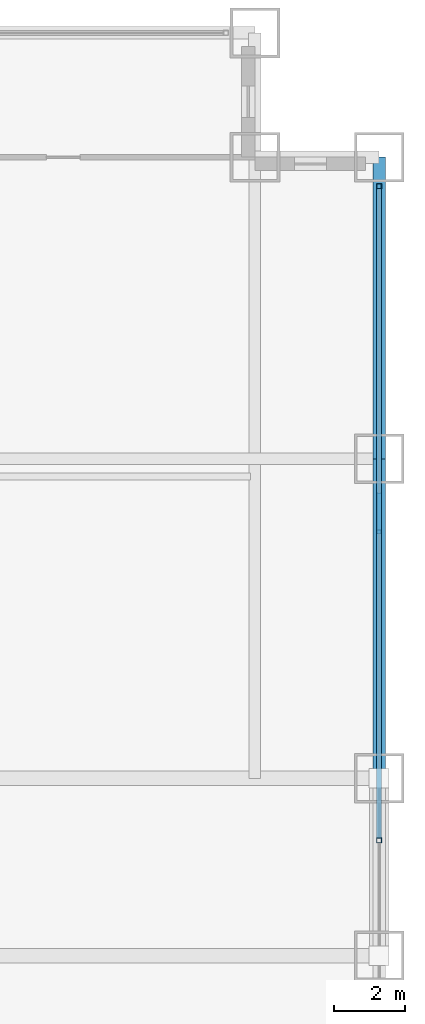
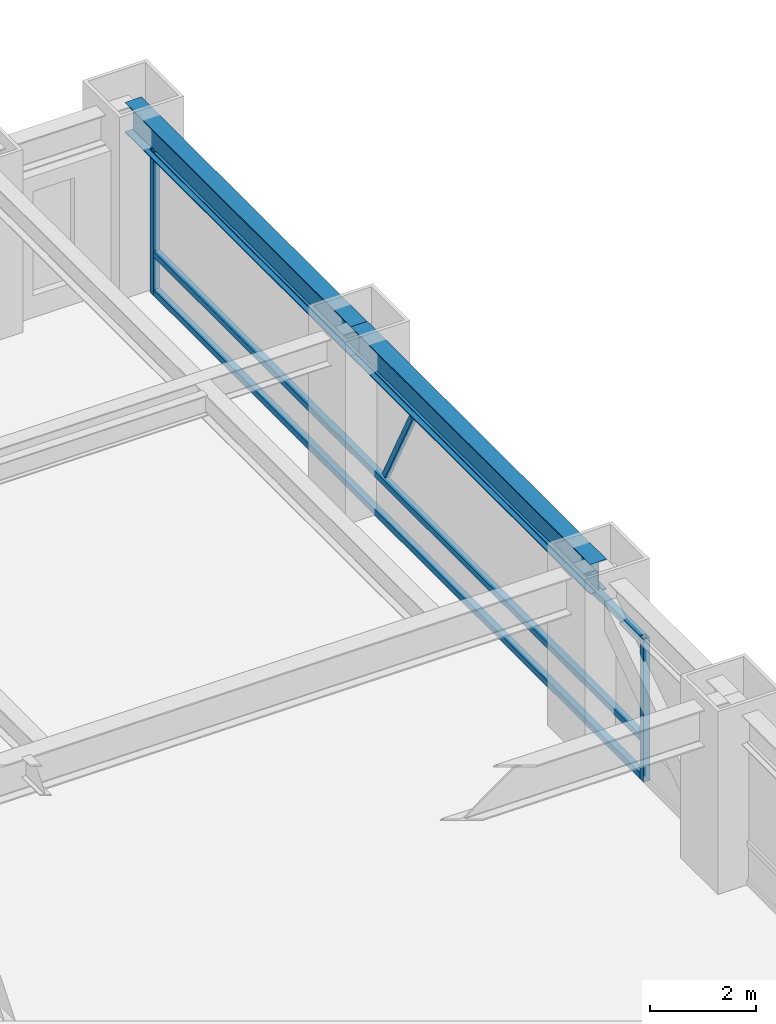
# One storey, part 18 of 28: 6 members, 2 beams, 1 element without a shape of its own.
"""IFC4 building model written with IfcOpenShell, lengths in metres."""

from ifc_helpers import new_model, si_unit, direction, frame, origin, origin_2d, place, context, subcontext, project, spatial, hollow_rectangle, i_section, extrude, source, transform, mapped, material, material_profile, profile_set, type_object, element, aggregate, save


model = new_model("IFC4")

# Units and contexts
model_context = context("Model", 3, precision=1e-05, world=origin(), true_north=direction((0.0, 1.0)))
body_context = subcontext(model_context, "Body", "Model", "MODEL_VIEW")
ifc_project = project(units=[si_unit("LENGTHUNIT", "METRE"), si_unit("AREAUNIT", "SQUARE_METRE"), si_unit("VOLUMEUNIT", "CUBIC_METRE"), si_unit("PLANEANGLEUNIT", "RADIAN"), si_unit("MASSUNIT", "GRAM", prefix="KILO")], contexts=[model_context])

# Site, building, storey
site_placement = place(None, origin())
site = spatial("IfcSite", under=ifc_project, at=site_placement, CompositionType="ELEMENT")
building_placement = place(site_placement, origin())
building = spatial("IfcBuilding", under=site, at=building_placement, Name="Khorayat Bourse Tower", CompositionType="ELEMENT")
storey_placement = place(building_placement, frame((0.0, 0.0, 57.800048828125)))
storey = spatial("IfcBuildingStorey", under=building, at=storey_placement, Name="L12", CompositionType="ELEMENT", Elevation=57.800048828125)

# Beams
ifc_material_1 = material(Name="Steel ASTM A992 Grade 50", Category="steel")
ifc_material_profile_1 = material_profile(ifc_material_1, i_section(OverallWidth=0.35498046875, OverallDepth=0.695068359375, WebThickness=0.015380859375, FlangeThickness=0.02490234375, FilletRadius=0.01806640625, at=origin_2d()), Name="W690X217")
ifc_profile_set_1 = profile_set([ifc_material_profile_1], Name="Steel ASTM A992 Grade 50")
beam_type = type_object("IfcBeamType", Name="BM-SPAN-690", PredefinedType="SPANDREL", material=ifc_profile_set_1)
shared_shape_1 = source(origin(), body_context, "Body", "SweptSolid", [
    extrude(i_section(OverallWidth=0.35498046875, OverallDepth=0.695068359375, WebThickness=0.015380859375, FlangeThickness=0.02490234375, FilletRadius=0.01806640625, at=origin_2d()), origin(), (0.0, 0.0, 1.0), 8.5),
])
beam_1_placement = place(storey_placement, frame((32.0, 20.0, 3.592529296875), z_axis=(0.0, 1.0, 0.0), x_axis=(-1.0, 0.0, 0.0)))
element("IfcBeam", 1, at=beam_1_placement, inside=storey, type_object=beam_type, Name="L12 BM-SPAN-690 BM-L12-SPN-041", PredefinedType="SPANDREL", context=body_context, shape_type="MappedRepresentation", body=[
    mapped(shared_shape_1, transform((0.0, 0.0, 0.0), scale=1.0)),
])
shared_shape_2 = source(origin(), body_context, "Body", "SweptSolid", [
    extrude(i_section(OverallWidth=0.35498046875, OverallDepth=0.695068359375, WebThickness=0.015380859375, FlangeThickness=0.02490234375, FilletRadius=0.01806640625, at=origin_2d()), origin(), (0.0, 0.0, 1.0), 9.0),
])
beam_2_placement = place(storey_placement, frame((32.0, 11.0, 3.592529296875), z_axis=(0.0, 1.0, 0.0), x_axis=(-1.0, 0.0, 0.0)))
element("IfcBeam", 2, at=beam_2_placement, inside=storey, type_object=beam_type, Name="L12 BM-SPAN-690 BM-L12-SPN-040", PredefinedType="SPANDREL", context=body_context, shape_type="MappedRepresentation", body=[
    mapped(shared_shape_2, transform((0.0, 0.0, 0.0), scale=1.0)),
])

# Curtain wall, members
ifc_material_2 = material(Name="Aluminium EN AW-6063 T6", Category="aluminium")
curtain_wall_type = type_object("IfcCurtainWallType", Name="CW-SYS-02", PredefinedType="NOTDEFINED", material=ifc_material_2)
curtain_wall_placement = place(storey_placement, origin())
curtain_wall = element("IfcCurtainWall", 3, at=curtain_wall_placement, inside=storey, type_object=curtain_wall_type, Name="L12 Curtain Wall CW-L12-E1", PredefinedType="NOTDEFINED")
ifc_material_profile_2 = material_profile(ifc_material_2, hollow_rectangle(XDim=0.139892578125, YDim=0.139892578125, WallThickness=0.006103515625, at=origin_2d()), Name="ALU 140x140x6")
ifc_profile_set_2 = profile_set([ifc_material_profile_2], Name="Aluminium EN AW-6063 T6")
member_type_1 = type_object("IfcMemberType", Name="CWT-HORZ-140", PredefinedType="USERDEFINED", material=ifc_profile_set_2)
shared_shape_3 = source(origin(), body_context, "Body", "SweptSolid", [
    extrude(hollow_rectangle(XDim=0.139892578125, YDim=0.139892578125, WallThickness=0.006103515625, at=origin_2d()), origin(), (0.0, 0.0, 1.0), 18.2900390625),
])
member_1_placement = place(storey_placement, frame((32.0, 9.320068359375, 0.070068359375), z_axis=(0.0, 1.0, 0.0), x_axis=(-1.0, 0.0, 0.0)))
member_1 = element("IfcMember", 4, at=member_1_placement, type_object=member_type_1, Name="CW-L12-E1 Horizontal Transom 3-1", ObjectType="TRANSOM", PredefinedType="USERDEFINED", context=body_context, shape_type="MappedRepresentation", body=[
    mapped(shared_shape_3, transform((0.0, 0.0, 0.0), scale=1.0)),
])
member_2_placement = place(storey_placement, frame((32.0, 9.320068359375, 0.949951171875), z_axis=(0.0, 1.0, 0.0), x_axis=(-1.0, 0.0, 0.0)))
member_2 = element("IfcMember", 5, at=member_2_placement, type_object=member_type_1, Name="CW-L12-E1 Horizontal Transom 3-2", ObjectType="TRANSOM", PredefinedType="USERDEFINED", context=body_context, shape_type="MappedRepresentation", body=[
    mapped(shared_shape_3, transform((0.0, 0.0, 0.0), scale=1.0)),
])
member_3_placement = place(storey_placement, frame((32.0, 9.320068359375, 3.219970703125), z_axis=(0.0, 1.0, 0.0), x_axis=(-1.0, 0.0, 0.0)))
member_3 = element("IfcMember", 6, at=member_3_placement, type_object=member_type_1, Name="CW-L12-E1 Horizontal Transom 3-3", ObjectType="TRANSOM", PredefinedType="USERDEFINED", context=body_context, shape_type="MappedRepresentation", body=[
    mapped(shared_shape_3, transform((0.0, 0.0, 0.0), scale=1.0)),
])
ifc_material_profile_3 = material_profile(ifc_material_2, hollow_rectangle(XDim=0.139892578125, YDim=0.139892578125, WallThickness=0.006103515625, at=origin_2d()), Name="ALU 140x140x6")
ifc_profile_set_3 = profile_set([ifc_material_profile_3], Name="Aluminium EN AW-6063 T6")
member_type_2 = type_object("IfcMemberType", Name="CWM-VERT-140", PredefinedType="MULLION", material=ifc_profile_set_3)
shared_shape_4 = source(origin(), body_context, "Body", "SweptSolid", [
    extrude(hollow_rectangle(XDim=0.139892578125, YDim=0.139892578125, WallThickness=0.006103515625, at=origin_2d()), origin(), (0.0, 0.0, 1.0), 3.2900390625),
])
member_4_placement = place(storey_placement, frame((32.0, 9.25, 0.0), z_axis=(0.0, 0.0, 1.0), x_axis=(-1.0, 0.0, 0.0)))
member_4 = element("IfcMember", 7, at=member_4_placement, type_object=member_type_2, Name="CW-L12-E1 Vertical Mullion 3", PredefinedType="MULLION", context=body_context, shape_type="MappedRepresentation", body=[
    mapped(shared_shape_4, transform((0.0, 0.0, 0.0), scale=1.0)),
])
member_5_placement = place(storey_placement, frame((32.0, 27.679931640625, 0.0), z_axis=(0.0, 0.0, 1.0), x_axis=(-1.0, 0.0, 0.0)))
member_5 = element("IfcMember", 8, at=member_5_placement, type_object=member_type_2, Name="CW-L12-E1 Vertical Mullion 4", PredefinedType="MULLION", context=body_context, shape_type="MappedRepresentation", body=[
    mapped(shared_shape_4, transform((0.0, 0.0, 0.0), scale=1.0)),
])
ifc_material_profile_4 = material_profile(ifc_material_2, hollow_rectangle(XDim=0.1201171875, YDim=0.1201171875, WallThickness=0.0048828125, at=origin_2d()), Name="ALU 120x120x5")
ifc_profile_set_4 = profile_set([ifc_material_profile_4], Name="Aluminium EN AW-6063 T6")
member_type_3 = type_object("IfcMemberType", Name="CWM-DIAG-120", PredefinedType="MULLION", material=ifc_profile_set_4)
shared_shape_5 = source(origin(), body_context, "Body", "SweptSolid", [
    extrude(hollow_rectangle(XDim=0.1201171875, YDim=0.1201171875, WallThickness=0.0048828125, at=origin_2d()), origin(), (0.0, 0.0, 1.0), 2.226318359375),
])
member_6_placement = place(storey_placement, frame((32.0, 18.9833984375, 1.099853515625), z_axis=(0.0, -0.465714796031, 0.884934872608), x_axis=(1.0, 0.0, 0.0)))
member_6 = element("IfcMember", 9, at=member_6_placement, type_object=member_type_3, Name="CW-L12-E1 Faceted Diagonal Mullion 3", PredefinedType="MULLION", context=body_context, shape_type="MappedRepresentation", body=[
    mapped(shared_shape_5, transform((0.0, 0.0, 0.0), scale=1.0)),
])
aggregate(curtain_wall, [member_4, member_5, member_1, member_2, member_3, member_6])

save(model, "model.ifc")
